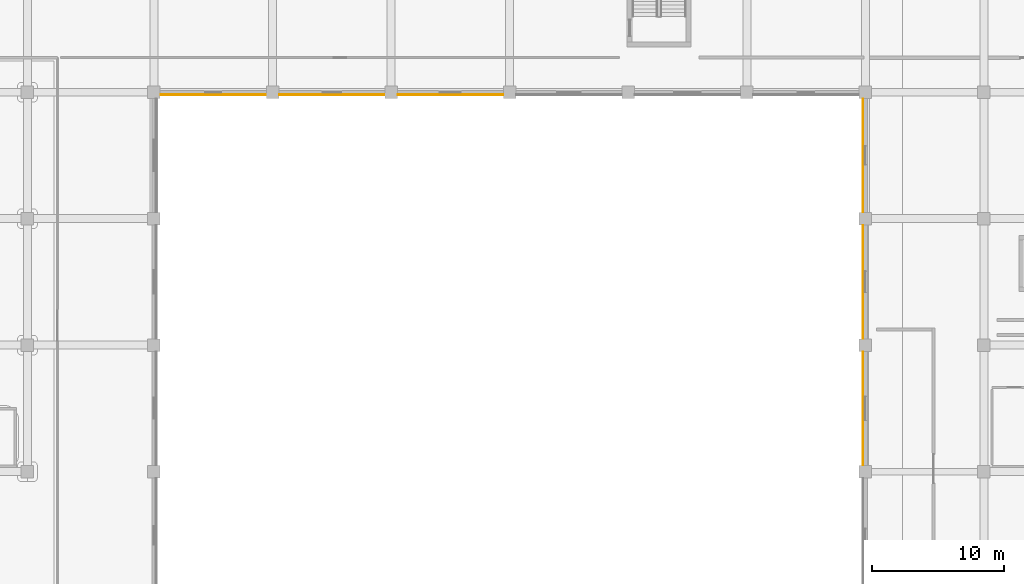
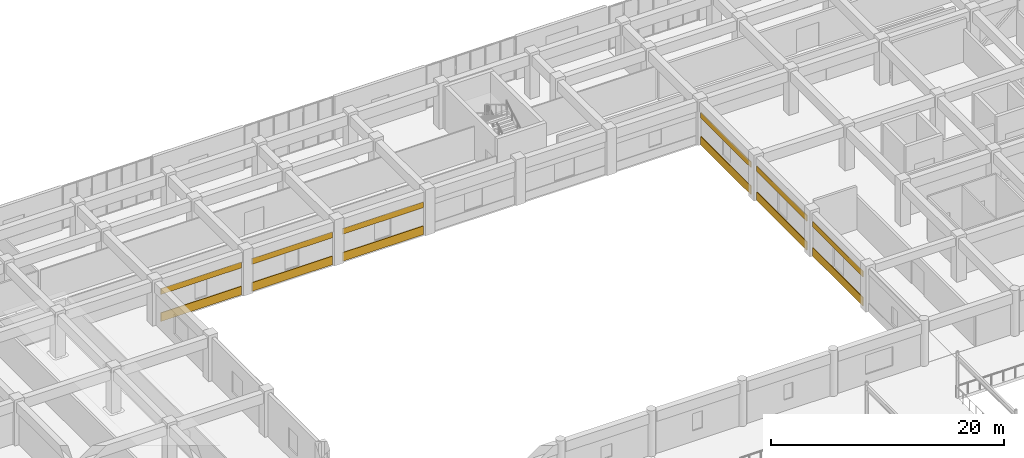
# One storey, part 80 of 86: 12 coverings.
"""IFC4 building model written with IfcOpenShell, lengths in metres."""

from ifc_helpers import new_model, si_unit, direction, frame, origin, origin_2d, place, context, subcontext, project, spatial, rectangle, extrude, material, layer, layer_set, type_object, element, save


model = new_model("IFC4")

# Units and contexts
model_context = context("Model", 3, precision=1e-05, world=origin(), true_north=direction((0.0, 1.0)))
body_context = subcontext(model_context, "Body", "Model", "MODEL_VIEW")
ifc_project = project(units=[si_unit("LENGTHUNIT", "METRE"), si_unit("AREAUNIT", "SQUARE_METRE"), si_unit("VOLUMEUNIT", "CUBIC_METRE"), si_unit("PLANEANGLEUNIT", "RADIAN"), si_unit("MASSUNIT", "GRAM", prefix="KILO")], contexts=[model_context])

# Site, building, storey
site_placement = place(None, origin())
site = spatial("IfcSite", under=ifc_project, at=site_placement, CompositionType="ELEMENT")
building_placement = place(site_placement, origin())
building = spatial("IfcBuilding", under=site, at=building_placement, Name="Cendralis Terraced Arcade", CompositionType="ELEMENT")
storey_placement = place(building_placement, frame((0.0, 0.0, 5.39990234375)))
storey = spatial("IfcBuildingStorey", under=building, at=storey_placement, Name="L01", CompositionType="ELEMENT", Elevation=5.39990234375)

# Coverings
ifc_material = material(Name="Precast concrete f'c 40 MPa", Category="concrete")
ifc_layer = layer(ifc_material, 0.06494140625, Name="COV-CLAD-GRC-65")
ifc_layer_set = layer_set([ifc_layer], Name="Precast concrete f'c 40 MPa")
covering_type = type_object("IfcCoveringType", Name="COV-CLAD-GRC-65", PredefinedType="CLADDING", material=ifc_layer_set)
covering_1_placement = place(storey_placement, frame((121.02001953125, 74.39990234375, 0.000244140625), z_axis=(0.0, 0.0, 1.0), x_axis=(0.0, 1.0, 0.0)))
element("IfcCovering", 1, at=covering_1_placement, inside=storey, type_object=covering_type, Name="Banded Precast Stone Spandrel Cladding L01-209", PredefinedType="CLADDING", context=body_context, shape_type="SweptSolid", body=[
    extrude(rectangle(XDim=8.593994140625, YDim=0.06494140625, at=origin_2d()), origin(), (0.0, 0.0, 1.0), 0.89990234375),
])
covering_2_placement = place(storey_placement, frame((121.02001953125, 74.39990234375, 3.045166015625), z_axis=(0.0, 0.0, 1.0), x_axis=(0.0, 1.0, 0.0)))
element("IfcCovering", 2, at=covering_2_placement, inside=storey, type_object=covering_type, Name="Banded Precast Stone Lintel Cladding L01-210", PredefinedType="CLADDING", context=body_context, shape_type="SweptSolid", body=[
    extrude(rectangle(XDim=8.593994140625, YDim=0.06494140625, at=origin_2d()), origin(), (0.0, 0.0, 1.0), 0.60009765625),
])
covering_3_placement = place(storey_placement, frame((121.02001953125, 84.0, 0.000244140625), z_axis=(0.0, 0.0, 1.0), x_axis=(0.0, 1.0, 0.0)))
element("IfcCovering", 3, at=covering_3_placement, inside=storey, type_object=covering_type, Name="Banded Precast Stone Spandrel Cladding L01-211", PredefinedType="CLADDING", context=body_context, shape_type="SweptSolid", body=[
    extrude(rectangle(XDim=8.593994140625, YDim=0.06494140625, at=origin_2d()), origin(), (0.0, 0.0, 1.0), 0.89990234375),
])
covering_4_placement = place(storey_placement, frame((121.02001953125, 84.0, 3.045166015625), z_axis=(0.0, 0.0, 1.0), x_axis=(0.0, 1.0, 0.0)))
element("IfcCovering", 4, at=covering_4_placement, inside=storey, type_object=covering_type, Name="Banded Precast Stone Lintel Cladding L01-212", PredefinedType="CLADDING", context=body_context, shape_type="SweptSolid", body=[
    extrude(rectangle(XDim=8.593994140625, YDim=0.06494140625, at=origin_2d()), origin(), (0.0, 0.0, 1.0), 0.60009765625),
])
covering_5_placement = place(storey_placement, frame((121.02001953125, 93.60009765625, 0.000244140625), z_axis=(0.0, 0.0, 1.0), x_axis=(0.0, 1.0, 0.0)))
element("IfcCovering", 5, at=covering_5_placement, inside=storey, type_object=covering_type, Name="Banded Precast Stone Spandrel Cladding L01-213", PredefinedType="CLADDING", context=body_context, shape_type="SweptSolid", body=[
    extrude(rectangle(XDim=8.593994140625, YDim=0.06494140625, at=origin_2d()), origin(), (0.0, 0.0, 1.0), 0.89990234375),
])
covering_6_placement = place(storey_placement, frame((121.02001953125, 93.60009765625, 2.824951171875), z_axis=(0.0, 0.0, 1.0), x_axis=(0.0, 1.0, 0.0)))
element("IfcCovering", 6, at=covering_6_placement, inside=storey, type_object=covering_type, Name="Banded Precast Stone Lintel Cladding L01-214", PredefinedType="CLADDING", context=body_context, shape_type="SweptSolid", body=[
    extrude(rectangle(XDim=8.593994140625, YDim=0.06494140625, at=origin_2d()), origin(), (0.0, 0.0, 1.0), 0.60009765625),
])
covering_7_placement = place(storey_placement, frame((89.699951171875, 98.219970703125, 0.000244140625), z_axis=(0.0, 0.0, 1.0), x_axis=(-1.0, 0.0, 0.0)))
element("IfcCovering", 7, at=covering_7_placement, inside=storey, type_object=covering_type, Name="Banded Precast Stone Spandrel Cladding L01-221", PredefinedType="CLADDING", context=body_context, shape_type="SweptSolid", body=[
    extrude(rectangle(XDim=7.993896484375, YDim=0.06494140625, at=origin_2d()), origin(), (0.0, 0.0, 1.0), 0.89990234375),
])
covering_8_placement = place(storey_placement, frame((89.699951171875, 98.219970703125, 2.824951171875), z_axis=(0.0, 0.0, 1.0), x_axis=(-1.0, 0.0, 0.0)))
element("IfcCovering", 8, at=covering_8_placement, inside=storey, type_object=covering_type, Name="Banded Precast Stone Lintel Cladding L01-222", PredefinedType="CLADDING", context=body_context, shape_type="SweptSolid", body=[
    extrude(rectangle(XDim=7.993896484375, YDim=0.06494140625, at=origin_2d()), origin(), (0.0, 0.0, 1.0), 0.60009765625),
])
covering_9_placement = place(storey_placement, frame((80.699951171875, 98.219970703125, 0.000244140625), z_axis=(0.0, 0.0, 1.0), x_axis=(-1.0, 0.0, 0.0)))
element("IfcCovering", 9, at=covering_9_placement, inside=storey, type_object=covering_type, Name="Banded Precast Stone Spandrel Cladding L01-223", PredefinedType="CLADDING", context=body_context, shape_type="SweptSolid", body=[
    extrude(rectangle(XDim=7.993896484375, YDim=0.06494140625, at=origin_2d()), origin(), (0.0, 0.0, 1.0), 0.89990234375),
])
covering_10_placement = place(storey_placement, frame((80.699951171875, 98.219970703125, 2.824951171875), z_axis=(0.0, 0.0, 1.0), x_axis=(-1.0, 0.0, 0.0)))
element("IfcCovering", 10, at=covering_10_placement, inside=storey, type_object=covering_type, Name="Banded Precast Stone Lintel Cladding L01-224", PredefinedType="CLADDING", context=body_context, shape_type="SweptSolid", body=[
    extrude(rectangle(XDim=7.993896484375, YDim=0.06494140625, at=origin_2d()), origin(), (0.0, 0.0, 1.0), 0.60009765625),
])
covering_11_placement = place(storey_placement, frame((71.699951171875, 98.219970703125, 0.000244140625), z_axis=(0.0, 0.0, 1.0), x_axis=(-1.0, 0.0, 0.0)))
element("IfcCovering", 11, at=covering_11_placement, inside=storey, type_object=covering_type, Name="Banded Precast Stone Spandrel Cladding L01-225", PredefinedType="CLADDING", context=body_context, shape_type="SweptSolid", body=[
    extrude(rectangle(XDim=7.993896484375, YDim=0.06494140625, at=origin_2d()), origin(), (0.0, 0.0, 1.0), 0.89990234375),
])
covering_12_placement = place(storey_placement, frame((71.699951171875, 98.219970703125, 2.824951171875), z_axis=(0.0, 0.0, 1.0), x_axis=(-1.0, 0.0, 0.0)))
element("IfcCovering", 12, at=covering_12_placement, inside=storey, type_object=covering_type, Name="Banded Precast Stone Lintel Cladding L01-226", PredefinedType="CLADDING", context=body_context, shape_type="SweptSolid", body=[
    extrude(rectangle(XDim=7.993896484375, YDim=0.06494140625, at=origin_2d()), origin(), (0.0, 0.0, 1.0), 0.60009765625),
])

save(model, "model.ifc")
